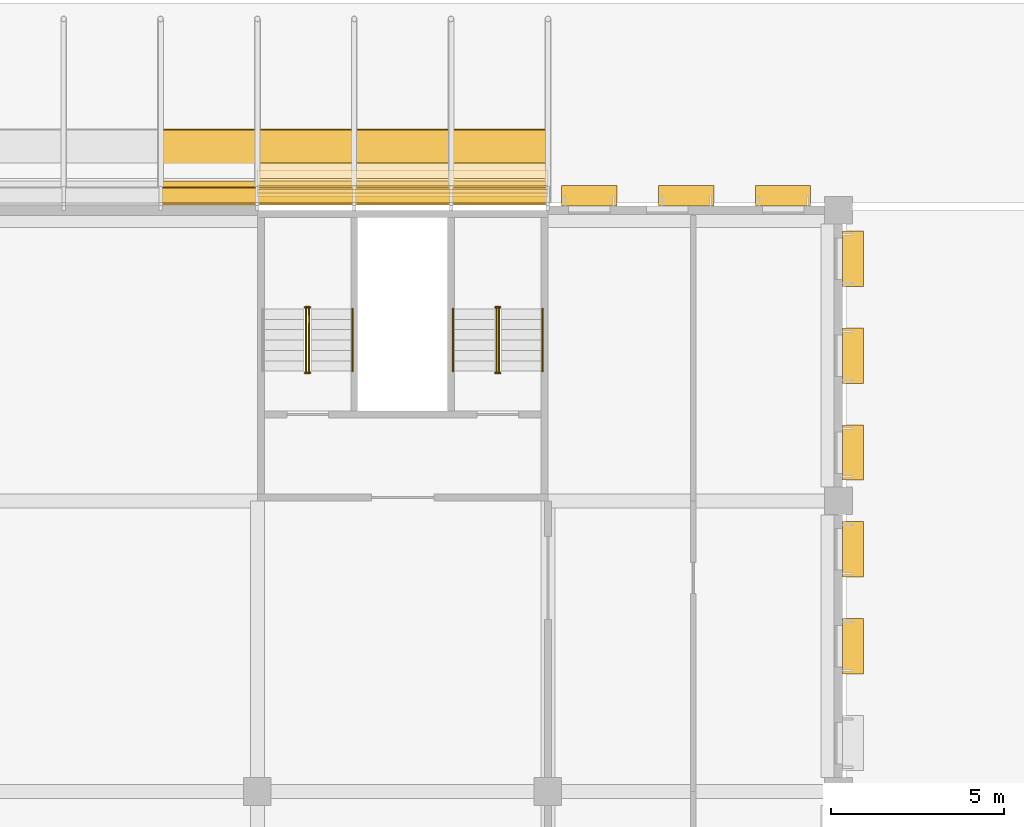
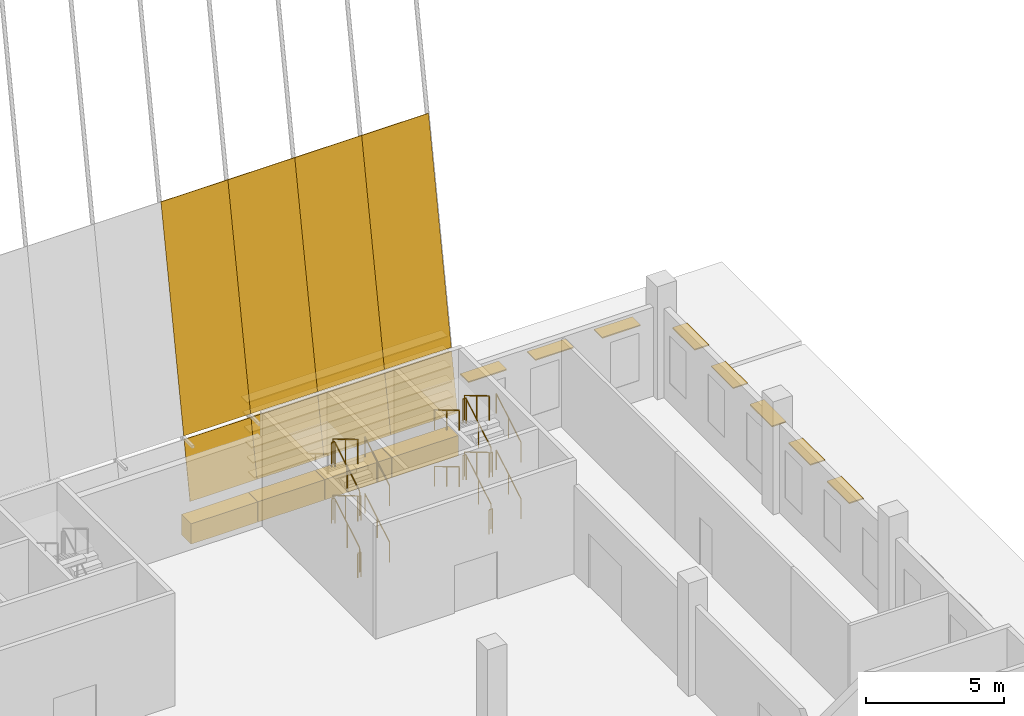
# One storey, part 100 of 101: 22 railings, 18 coverings, 8 shading devices.
"""IFC4 building model written with IfcOpenShell, lengths in metres."""

from ifc_helpers import new_model, si_unit, direction, frame, origin, origin_2d, place, context, subcontext, project, spatial, polyline, rectangle, circle, outline, extrude, material, layer, layer_set, material_profile, profile_set, type_object, element, save


model = new_model("IFC4")

# Units and contexts
model_context = context("Model", 3, precision=1e-05, world=origin(), true_north=direction((0.0, 1.0)))
body_context = subcontext(model_context, "Body", "Model", "MODEL_VIEW")
ifc_project = project(units=[si_unit("LENGTHUNIT", "METRE"), si_unit("AREAUNIT", "SQUARE_METRE"), si_unit("VOLUMEUNIT", "CUBIC_METRE"), si_unit("PLANEANGLEUNIT", "RADIAN"), si_unit("MASSUNIT", "GRAM", prefix="KILO")], contexts=[model_context])

# Site, building, storey
site_placement = place(None, origin())
site = spatial("IfcSite", under=ifc_project, at=site_placement, CompositionType="ELEMENT")
building_placement = place(site_placement, origin())
building = spatial("IfcBuilding", under=site, at=building_placement, Name="Almond Square Museum", CompositionType="ELEMENT")
storey_placement = place(building_placement, frame((0.0, 0.0, 5.5)))
storey = spatial("IfcBuildingStorey", under=building, at=storey_placement, Name="L01", CompositionType="ELEMENT", Elevation=5.5)

# Coverings
ifc_material_1 = material(Name="Cedar timber louvre board", Category="wood")
ifc_material_profile_1 = material_profile(ifc_material_1, rectangle(XDim=0.449951171875, YDim=0.050048828125, at=origin_2d()))
ifc_profile_set_1 = profile_set([ifc_material_profile_1], Name="Cedar timber louvre board")
covering_type_1 = type_object("IfcCoveringType", Name="Louvre board 450 x 50", PredefinedType="CLADDING", material=ifc_profile_set_1)
for number, where, z_axis, x_axis, name in (
    (1, (140.39990234375, 109.82373046875, 1.800048828125), (1.0, 0.0, 0.0), (0.0, 1.0, 0.0), "Louvre board N01.05"),
    (2, (140.39990234375, 109.9296875, 2.39990234375), (1.0, 0.0, 0.0), (0.0, 1.0, 0.0), "Louvre board N02.05"),
    (3, (140.39990234375, 110.035400390625, 3.0), (1.0, 0.0, 0.0), (0.0, 1.0, 0.0), "Louvre board N03.05"),
    (4, (140.39990234375, 110.14111328125, 3.60009765625), (1.0, 0.0, 0.0), (0.0, 1.0, 0.0), "Louvre board N04.05"),
    (5, (140.39990234375, 110.2470703125, 4.199951171875), (1.0, 0.0, 0.0), (0.0, 1.0, 0.0), "Louvre board N05.05"),
    (6, (140.39990234375, 110.352783203125, 4.800048828125), (1.0, 0.0, 0.0), (0.0, 1.0, 0.0), "Louvre board N06.05"),
):
    element("IfcCovering", number, at=place(storey_placement, frame(where, z_axis=z_axis, x_axis=x_axis)), inside=storey, type_object=covering_type_1, Name=name, PredefinedType="CLADDING", context=body_context, shape_type="SweptSolid", body=[
        extrude(rectangle(XDim=0.449951171875, YDim=0.050048828125, at=origin_2d()), origin(), (0.0, 0.0, 1.0), 8.400146484375),
    ])
ifc_material_2 = material(Name="Cedar timber sheathing panel", Category="wood")
ifc_layer_1 = layer(ifc_material_2, 0.030029296875)
ifc_layer_set_1 = layer_set([ifc_layer_1], Name="Cedar timber sheathing panel")
covering_type_2 = type_object("IfcCoveringType", Name="Louvre rain-screen backing panel 30", PredefinedType="CLADDING", material=ifc_layer_set_1)
covering_1_placement = place(storey_placement, frame((137.60009765625, 109.42724609375, 1.8486328125), z_axis=(0.0, -0.984810858511, 0.173630564586), x_axis=(1.0, 0.0, 0.0)))
element("IfcCovering", 7, at=covering_1_placement, inside=storey, type_object=covering_type_2, Name="Louvre rain-screen backing panel N12.03", PredefinedType="CLADDING", context=body_context, shape_type="SweptSolid", body=[
    extrude(outline(polyline([(0.0, 0.0), (2.7998046875, 0.0), (2.7998046875, 2.519717660558068), (0.0, 2.519717660558068), (0.0, 0.0)])), frame((0.0, 0.0, -0.01513671875)), (0.0, 0.0, 1.0), 0.030029296875),
])
covering_2_placement = place(storey_placement, frame((137.60009765625, 109.889404296875, 4.469970703125), z_axis=(0.0, -0.98480863204, 0.173643192378), x_axis=(1.0, 0.0, 0.0)))
element("IfcCovering", 8, at=covering_2_placement, inside=storey, type_object=covering_type_2, Name="Louvre rain-screen backing panel N12.04", PredefinedType="CLADDING", context=body_context, shape_type="SweptSolid", body=[
    extrude(outline(polyline([(0.0, 0.0), (2.7998046875, 0.0), (2.7998046875, 9.504493682681227), (0.0, 9.504493682681227), (0.0, 0.0)])), frame((0.0, 0.0, -0.01513671875)), (0.0, 0.0, 1.0), 0.030029296875),
])
covering_3_placement = place(storey_placement, frame((140.39990234375, 109.42724609375, 1.8486328125), z_axis=(0.0, -0.984810858511, 0.173630564586), x_axis=(1.0, 0.0, 0.0)))
element("IfcCovering", 9, at=covering_3_placement, inside=storey, type_object=covering_type_2, Name="Louvre rain-screen backing panel N13.03", PredefinedType="CLADDING", context=body_context, shape_type="SweptSolid", body=[
    extrude(outline(polyline([(0.0, 0.0), (2.800048828125, 0.0), (2.800048828125, 2.519717660558068), (0.0, 2.519717660558068), (0.0, 0.0)])), frame((0.0, 0.0, -0.01513671875)), (0.0, 0.0, 1.0), 0.030029296875),
])
covering_4_placement = place(storey_placement, frame((140.39990234375, 109.889404296875, 4.469970703125), z_axis=(0.0, -0.98480863204, 0.173643192378), x_axis=(1.0, 0.0, 0.0)))
element("IfcCovering", 10, at=covering_4_placement, inside=storey, type_object=covering_type_2, Name="Louvre rain-screen backing panel N13.04", PredefinedType="CLADDING", context=body_context, shape_type="SweptSolid", body=[
    extrude(outline(polyline([(0.0, 0.0), (2.800048828125, 0.0), (2.800048828125, 9.504493682681225), (0.0, 9.504493682681225), (0.0, 0.0)])), frame((0.0, 0.0, -0.01513671875)), (0.0, 0.0, 1.0), 0.030029296875),
])
covering_5_placement = place(storey_placement, frame((143.199951171875, 109.42724609375, 1.8486328125), z_axis=(0.0, -0.984810858511, 0.173630564586), x_axis=(1.0, 0.0, 0.0)))
element("IfcCovering", 11, at=covering_5_placement, inside=storey, type_object=covering_type_2, Name="Louvre rain-screen backing panel N14.03", PredefinedType="CLADDING", context=body_context, shape_type="SweptSolid", body=[
    extrude(outline(polyline([(0.0, 0.0), (2.800048828125, 0.0), (2.800048828125, 2.519717660558068), (0.0, 2.519717660558068), (0.0, 0.0)])), frame((0.0, 0.0, -0.01513671875)), (0.0, 0.0, 1.0), 0.030029296875),
])
covering_6_placement = place(storey_placement, frame((143.199951171875, 109.889404296875, 4.469970703125), z_axis=(0.0, -0.98480863204, 0.173643192378), x_axis=(1.0, 0.0, 0.0)))
element("IfcCovering", 12, at=covering_6_placement, inside=storey, type_object=covering_type_2, Name="Louvre rain-screen backing panel N14.04", PredefinedType="CLADDING", context=body_context, shape_type="SweptSolid", body=[
    extrude(outline(polyline([(0.0, 0.0), (2.800048828125, 0.0), (2.800048828125, 9.504493682681225), (0.0, 9.504493682681225), (0.0, 0.0)])), frame((0.0, 0.0, -0.01513671875)), (0.0, 0.0, 1.0), 0.030029296875),
])
covering_7_placement = place(storey_placement, frame((146.0, 109.42724609375, 1.8486328125), z_axis=(0.0, -0.984810858511, 0.173630564586), x_axis=(1.0, 0.0, 0.0)))
element("IfcCovering", 13, at=covering_7_placement, inside=storey, type_object=covering_type_2, Name="Louvre rain-screen backing panel N15.03", PredefinedType="CLADDING", context=body_context, shape_type="SweptSolid", body=[
    extrude(outline(polyline([(0.0, 0.0), (2.800048828125, 0.0), (2.800048828125, 2.519717660558068), (0.0, 2.519717660558068), (0.0, 0.0)])), frame((0.0, 0.0, -0.01513671875)), (0.0, 0.0, 1.0), 0.030029296875),
])
covering_8_placement = place(storey_placement, frame((146.0, 109.889404296875, 4.469970703125), z_axis=(0.0, -0.98480863204, 0.173643192378), x_axis=(1.0, 0.0, 0.0)))
element("IfcCovering", 14, at=covering_8_placement, inside=storey, type_object=covering_type_2, Name="Louvre rain-screen backing panel N15.04", PredefinedType="CLADDING", context=body_context, shape_type="SweptSolid", body=[
    extrude(outline(polyline([(0.0, 0.0), (2.800048828125, 0.0), (2.800048828125, 9.504493682681225), (0.0, 9.504493682681225), (0.0, 0.0)])), frame((0.0, 0.0, -0.01513671875)), (0.0, 0.0, 1.0), 0.030029296875),
])
ifc_material_3 = material(Name="Timber plinth, cedar", Category="wood")
ifc_layer_2 = layer(ifc_material_3, 0.699951171875)
ifc_layer_set_2 = layer_set([ifc_layer_2], Name="Timber plinth, cedar")
covering_type_3 = type_object("IfcCoveringType", Name="Louvre skin plinth, timber 700 x 900", PredefinedType="CLADDING", material=ifc_layer_set_2)
for number, where, z_axis, x_axis, name in (
    (15, (139.0, 109.699951171875, 0.0), (0.0, 0.0, 1.0), (1.0, 0.0, 0.0), "Louvre skin plinth N12"),
    (16, (141.800048828125, 109.699951171875, 0.0), (0.0, 0.0, 1.0), (1.0, 0.0, 0.0), "Louvre skin plinth N13"),
    (17, (144.60009765625, 109.699951171875, 0.0), (0.0, 0.0, 1.0), (1.0, 0.0, 0.0), "Louvre skin plinth N14"),
    (18, (147.39990234375, 109.699951171875, 0.0), (0.0, 0.0, 1.0), (1.0, 0.0, 0.0), "Louvre skin plinth N15"),
):
    element("IfcCovering", number, at=place(storey_placement, frame(where, z_axis=z_axis, x_axis=x_axis)), inside=storey, type_object=covering_type_3, Name=name, PredefinedType="CLADDING", context=body_context, shape_type="SweptSolid", body=[
        extrude(rectangle(XDim=2.780029296875, YDim=0.699951171875, at=origin_2d()), origin(), (0.0, 0.0, 1.0), 0.89990234375),
    ])

# Railings
ifc_material_4 = material(Name="Stainless steel and laminated glass", Category="steel")
railing_type_1 = type_object("IfcRailingType", Name="Stair guard 1100 steel and glass", PredefinedType="GUARDRAIL", material=ifc_material_4)
railing_1_placement = place(storey_placement, frame((141.889892578125, 104.550048828125, 0.178466796875)))
element("IfcRailing", 19, at=railing_1_placement, inside=storey, type_object=railing_type_1, Name="L01 ST-05 stair guard 1", PredefinedType="GUARDRAIL", context=body_context, shape_type="SweptSolid", body=[
    extrude(circle(Radius=0.02392578125, at=origin_2d()), frame((0.0, 0.0, 1.076171875), z_axis=(0.0, 0.859277029364, 0.511510495305), x_axis=(-1.0, 0.0, 0.0)), (0.0, 0.0, 1.0), 2.0947265625),
    extrude(circle(Radius=0.02099609375, at=origin_2d()), origin(), (0.0, 0.0, 1.0), 1.052001953125),
    extrude(circle(Radius=0.02099609375, at=origin_2d()), frame((0.0, 0.89990234375, 0.53564453125)), (0.0, 0.0, 1.0), 1.052001953125),
    extrude(circle(Radius=0.02099609375, at=origin_2d()), frame((0.0, 1.800048828125, 1.071533203125)), (0.0, 0.0, 1.0), 1.052001953125),
])
railing_2_placement = place(storey_placement, frame((141.919921875, 106.39990234375, 1.25)))
element("IfcRailing", 20, at=railing_2_placement, inside=storey, type_object=railing_type_1, Name="L01 ST-05 stair guard 2", PredefinedType="GUARDRAIL", context=body_context, shape_type="SweptSolid", body=[
    extrude(circle(Radius=0.02392578125, at=origin_2d()), frame((0.0, 0.0, 1.076171875), z_axis=(-1.0, 0.0, 0.0), x_axis=(0.0, -1.0, 0.0)), (0.0, 0.0, 1.0), 0.139892578125),
    extrude(circle(Radius=0.02099609375, at=origin_2d()), origin(), (0.0, 0.0, 1.0), 1.052001953125),
    extrude(circle(Radius=0.02099609375, at=origin_2d()), frame((-0.139892578125, 0.0, 0.0)), (0.0, 0.0, 1.0), 1.052001953125),
])
railing_3_placement = place(storey_placement, frame((141.81005859375, 106.35009765625, 1.428466796875)))
element("IfcRailing", 21, at=railing_3_placement, inside=storey, type_object=railing_type_1, Name="L01 ST-05 stair guard 3", PredefinedType="GUARDRAIL", context=body_context, shape_type="SweptSolid", body=[
    extrude(circle(Radius=0.02392578125, at=origin_2d()), frame((0.0, 0.0, 1.076171875), z_axis=(0.0, -0.859277029364, 0.511510495305), x_axis=(1.0, 0.0, 0.0)), (0.0, 0.0, 1.0), 2.0947265625),
    extrude(circle(Radius=0.02099609375, at=origin_2d()), origin(), (0.0, 0.0, 1.0), 1.052001953125),
    extrude(circle(Radius=0.02099609375, at=origin_2d()), frame((0.0, -0.89990234375, 0.53564453125)), (0.0, 0.0, 1.0), 1.052001953125),
    extrude(circle(Radius=0.02099609375, at=origin_2d()), frame((0.0, -1.800048828125, 1.071533203125)), (0.0, 0.0, 1.0), 1.052001953125),
])
railing_4_placement = place(storey_placement, frame((141.919921875, 104.5, 2.5)))
element("IfcRailing", 22, at=railing_4_placement, inside=storey, type_object=railing_type_1, Name="L01 ST-05 stair guard 4", PredefinedType="GUARDRAIL", context=body_context, shape_type="SweptSolid", body=[
    extrude(circle(Radius=0.02392578125, at=origin_2d()), frame((0.0, 0.0, 1.076171875), z_axis=(-1.0, 0.0, 0.0), x_axis=(0.0, -1.0, 0.0)), (0.0, 0.0, 1.0), 0.139892578125),
    extrude(circle(Radius=0.02099609375, at=origin_2d()), origin(), (0.0, 0.0, 1.0), 1.052001953125),
    extrude(circle(Radius=0.02099609375, at=origin_2d()), frame((-0.139892578125, 0.0, 0.0)), (0.0, 0.0, 1.0), 1.052001953125),
])
railing_5_placement = place(storey_placement, frame((141.889892578125, 104.550048828125, 2.678466796875)))
element("IfcRailing", 23, at=railing_5_placement, inside=storey, type_object=railing_type_1, Name="L01 ST-05 stair guard 5", PredefinedType="GUARDRAIL", context=body_context, shape_type="SweptSolid", body=[
    extrude(circle(Radius=0.02392578125, at=origin_2d()), frame((0.0, 0.0, 1.076171875), z_axis=(0.0, 0.859277029364, 0.511510495305), x_axis=(-1.0, 0.0, 0.0)), (0.0, 0.0, 1.0), 2.0947265625),
    extrude(circle(Radius=0.02099609375, at=origin_2d()), origin(), (0.0, 0.0, 1.0), 1.052001953125),
    extrude(circle(Radius=0.02099609375, at=origin_2d()), frame((0.0, 0.89990234375, 0.53564453125)), (0.0, 0.0, 1.0), 1.052001953125),
    extrude(circle(Radius=0.02099609375, at=origin_2d()), frame((0.0, 1.800048828125, 1.071533203125)), (0.0, 0.0, 1.0), 1.052001953125),
])
railing_6_placement = place(storey_placement, frame((141.919921875, 106.39990234375, 3.75)))
element("IfcRailing", 24, at=railing_6_placement, inside=storey, type_object=railing_type_1, Name="L01 ST-05 stair guard 6", PredefinedType="GUARDRAIL", context=body_context, shape_type="SweptSolid", body=[
    extrude(circle(Radius=0.02392578125, at=origin_2d()), frame((0.0, 0.0, 1.076171875), z_axis=(-1.0, 0.0, 0.0), x_axis=(0.0, -1.0, 0.0)), (0.0, 0.0, 1.0), 0.139892578125),
    extrude(circle(Radius=0.02099609375, at=origin_2d()), origin(), (0.0, 0.0, 1.0), 1.052001953125),
    extrude(circle(Radius=0.02099609375, at=origin_2d()), frame((-0.139892578125, 0.0, 0.0)), (0.0, 0.0, 1.0), 1.052001953125),
])
railing_7_placement = place(storey_placement, frame((141.81005859375, 106.35009765625, 3.928466796875)))
element("IfcRailing", 25, at=railing_7_placement, inside=storey, type_object=railing_type_1, Name="L01 ST-05 stair guard 7", PredefinedType="GUARDRAIL", context=body_context, shape_type="SweptSolid", body=[
    extrude(circle(Radius=0.02392578125, at=origin_2d()), frame((0.0, 0.0, 1.076171875), z_axis=(0.0, -0.859277029364, 0.511510495305), x_axis=(1.0, 0.0, 0.0)), (0.0, 0.0, 1.0), 2.0947265625),
    extrude(circle(Radius=0.02099609375, at=origin_2d()), origin(), (0.0, 0.0, 1.0), 1.052001953125),
    extrude(circle(Radius=0.02099609375, at=origin_2d()), frame((0.0, -0.89990234375, 0.53564453125)), (0.0, 0.0, 1.0), 1.052001953125),
    extrude(circle(Radius=0.02099609375, at=origin_2d()), frame((0.0, -1.800048828125, 1.071533203125)), (0.0, 0.0, 1.0), 1.052001953125),
])
railing_8_placement = place(storey_placement, frame((141.919921875, 104.5, 0.0)))
element("IfcRailing", 26, at=railing_8_placement, inside=storey, type_object=railing_type_1, Name="L01 ST-05 stair guard 8", PredefinedType="GUARDRAIL", context=body_context, shape_type="SweptSolid", body=[
    extrude(circle(Radius=0.02392578125, at=origin_2d()), frame((0.0, 0.0, 1.076171875), z_axis=(-1.0, 0.0, 0.0), x_axis=(0.0, -1.0, 0.0)), (0.0, 0.0, 1.0), 0.139892578125),
    extrude(circle(Radius=0.02099609375, at=origin_2d()), origin(), (0.0, 0.0, 1.0), 1.052001953125),
    extrude(circle(Radius=0.02099609375, at=origin_2d()), frame((-0.139892578125, 0.0, 0.0)), (0.0, 0.0, 1.0), 1.052001953125),
])
railing_9_placement = place(storey_placement, frame((147.389892578125, 104.550048828125, 0.178466796875)))
element("IfcRailing", 27, at=railing_9_placement, inside=storey, type_object=railing_type_1, Name="L01 ST-06 stair guard 1", PredefinedType="GUARDRAIL", context=body_context, shape_type="SweptSolid", body=[
    extrude(circle(Radius=0.02392578125, at=origin_2d()), frame((0.0, 0.0, 1.076171875), z_axis=(0.0, 0.859277029364, 0.511510495305), x_axis=(-1.0, 0.0, 0.0)), (0.0, 0.0, 1.0), 2.0947265625),
    extrude(circle(Radius=0.02099609375, at=origin_2d()), origin(), (0.0, 0.0, 1.0), 1.052001953125),
    extrude(circle(Radius=0.02099609375, at=origin_2d()), frame((0.0, 0.89990234375, 0.53564453125)), (0.0, 0.0, 1.0), 1.052001953125),
    extrude(circle(Radius=0.02099609375, at=origin_2d()), frame((0.0, 1.800048828125, 1.071533203125)), (0.0, 0.0, 1.0), 1.052001953125),
])
railing_10_placement = place(storey_placement, frame((147.419921875, 106.39990234375, 1.25)))
element("IfcRailing", 28, at=railing_10_placement, inside=storey, type_object=railing_type_1, Name="L01 ST-06 stair guard 2", PredefinedType="GUARDRAIL", context=body_context, shape_type="SweptSolid", body=[
    extrude(circle(Radius=0.02392578125, at=origin_2d()), frame((0.0, 0.0, 1.076171875), z_axis=(-1.0, 0.0, 0.0), x_axis=(0.0, -1.0, 0.0)), (0.0, 0.0, 1.0), 0.139892578125),
    extrude(circle(Radius=0.02099609375, at=origin_2d()), origin(), (0.0, 0.0, 1.0), 1.052001953125),
    extrude(circle(Radius=0.02099609375, at=origin_2d()), frame((-0.139892578125, 0.0, 0.0)), (0.0, 0.0, 1.0), 1.052001953125),
])
railing_11_placement = place(storey_placement, frame((147.31005859375, 106.35009765625, 1.428466796875)))
element("IfcRailing", 29, at=railing_11_placement, inside=storey, type_object=railing_type_1, Name="L01 ST-06 stair guard 3", PredefinedType="GUARDRAIL", context=body_context, shape_type="SweptSolid", body=[
    extrude(circle(Radius=0.02392578125, at=origin_2d()), frame((0.0, 0.0, 1.076171875), z_axis=(0.0, -0.859277029364, 0.511510495305), x_axis=(1.0, 0.0, 0.0)), (0.0, 0.0, 1.0), 2.0947265625),
    extrude(circle(Radius=0.02099609375, at=origin_2d()), origin(), (0.0, 0.0, 1.0), 1.052001953125),
    extrude(circle(Radius=0.02099609375, at=origin_2d()), frame((0.0, -0.89990234375, 0.53564453125)), (0.0, 0.0, 1.0), 1.052001953125),
    extrude(circle(Radius=0.02099609375, at=origin_2d()), frame((0.0, -1.800048828125, 1.071533203125)), (0.0, 0.0, 1.0), 1.052001953125),
])
railing_12_placement = place(storey_placement, frame((147.419921875, 104.5, 2.5)))
element("IfcRailing", 30, at=railing_12_placement, inside=storey, type_object=railing_type_1, Name="L01 ST-06 stair guard 4", PredefinedType="GUARDRAIL", context=body_context, shape_type="SweptSolid", body=[
    extrude(circle(Radius=0.02392578125, at=origin_2d()), frame((0.0, 0.0, 1.076171875), z_axis=(-1.0, 0.0, 0.0), x_axis=(0.0, -1.0, 0.0)), (0.0, 0.0, 1.0), 0.139892578125),
    extrude(circle(Radius=0.02099609375, at=origin_2d()), origin(), (0.0, 0.0, 1.0), 1.052001953125),
    extrude(circle(Radius=0.02099609375, at=origin_2d()), frame((-0.139892578125, 0.0, 0.0)), (0.0, 0.0, 1.0), 1.052001953125),
])
railing_13_placement = place(storey_placement, frame((147.389892578125, 104.550048828125, 2.678466796875)))
element("IfcRailing", 31, at=railing_13_placement, inside=storey, type_object=railing_type_1, Name="L01 ST-06 stair guard 5", PredefinedType="GUARDRAIL", context=body_context, shape_type="SweptSolid", body=[
    extrude(circle(Radius=0.02392578125, at=origin_2d()), frame((0.0, 0.0, 1.076171875), z_axis=(0.0, 0.859277029364, 0.511510495305), x_axis=(-1.0, 0.0, 0.0)), (0.0, 0.0, 1.0), 2.0947265625),
    extrude(circle(Radius=0.02099609375, at=origin_2d()), origin(), (0.0, 0.0, 1.0), 1.052001953125),
    extrude(circle(Radius=0.02099609375, at=origin_2d()), frame((0.0, 0.89990234375, 0.53564453125)), (0.0, 0.0, 1.0), 1.052001953125),
    extrude(circle(Radius=0.02099609375, at=origin_2d()), frame((0.0, 1.800048828125, 1.071533203125)), (0.0, 0.0, 1.0), 1.052001953125),
])
railing_14_placement = place(storey_placement, frame((147.419921875, 106.39990234375, 3.75)))
element("IfcRailing", 32, at=railing_14_placement, inside=storey, type_object=railing_type_1, Name="L01 ST-06 stair guard 6", PredefinedType="GUARDRAIL", context=body_context, shape_type="SweptSolid", body=[
    extrude(circle(Radius=0.02392578125, at=origin_2d()), frame((0.0, 0.0, 1.076171875), z_axis=(-1.0, 0.0, 0.0), x_axis=(0.0, -1.0, 0.0)), (0.0, 0.0, 1.0), 0.139892578125),
    extrude(circle(Radius=0.02099609375, at=origin_2d()), origin(), (0.0, 0.0, 1.0), 1.052001953125),
    extrude(circle(Radius=0.02099609375, at=origin_2d()), frame((-0.139892578125, 0.0, 0.0)), (0.0, 0.0, 1.0), 1.052001953125),
])
railing_15_placement = place(storey_placement, frame((147.31005859375, 106.35009765625, 3.928466796875)))
element("IfcRailing", 33, at=railing_15_placement, inside=storey, type_object=railing_type_1, Name="L01 ST-06 stair guard 7", PredefinedType="GUARDRAIL", context=body_context, shape_type="SweptSolid", body=[
    extrude(circle(Radius=0.02392578125, at=origin_2d()), frame((0.0, 0.0, 1.076171875), z_axis=(0.0, -0.859277029364, 0.511510495305), x_axis=(1.0, 0.0, 0.0)), (0.0, 0.0, 1.0), 2.0947265625),
    extrude(circle(Radius=0.02099609375, at=origin_2d()), origin(), (0.0, 0.0, 1.0), 1.052001953125),
    extrude(circle(Radius=0.02099609375, at=origin_2d()), frame((0.0, -0.89990234375, 0.53564453125)), (0.0, 0.0, 1.0), 1.052001953125),
    extrude(circle(Radius=0.02099609375, at=origin_2d()), frame((0.0, -1.800048828125, 1.071533203125)), (0.0, 0.0, 1.0), 1.052001953125),
])
railing_16_placement = place(storey_placement, frame((147.419921875, 104.5, 0.0)))
element("IfcRailing", 34, at=railing_16_placement, inside=storey, type_object=railing_type_1, Name="L01 ST-06 stair guard 8", PredefinedType="GUARDRAIL", context=body_context, shape_type="SweptSolid", body=[
    extrude(circle(Radius=0.02392578125, at=origin_2d()), frame((0.0, 0.0, 1.076171875), z_axis=(-1.0, 0.0, 0.0), x_axis=(0.0, -1.0, 0.0)), (0.0, 0.0, 1.0), 0.139892578125),
    extrude(circle(Radius=0.02099609375, at=origin_2d()), origin(), (0.0, 0.0, 1.0), 1.052001953125),
    extrude(circle(Radius=0.02099609375, at=origin_2d()), frame((-0.139892578125, 0.0, 0.0)), (0.0, 0.0, 1.0), 1.052001953125),
])
ifc_material_5 = material(Name="Stainless steel", Category="steel")
railing_type_2 = type_object("IfcRailingType", Name="Stair handrail 900 steel", PredefinedType="HANDRAIL", material=ifc_material_5)
for number, where, name in (
    (35, (143.14501953125, 104.550048828125, 0.178466796875), "L01 ST-05 stair handrail 1"),
    (36, (143.14501953125, 104.550048828125, 2.678466796875), "L01 ST-05 stair handrail 3"),
    (37, (148.64501953125, 104.550048828125, 0.178466796875), "L01 ST-06 stair handrail 1"),
):
    element("IfcRailing", number, at=place(storey_placement, frame(where)), inside=storey, type_object=railing_type_2, Name=name, PredefinedType="HANDRAIL", context=body_context, shape_type="SweptSolid", body=[
        extrude(circle(Radius=0.02392578125, at=origin_2d()), frame((0.0, 0.0, 0.8759765625), z_axis=(0.0, 0.859277029364, 0.511510495305), x_axis=(-1.0, 0.0, 0.0)), (0.0, 0.0, 1.0), 2.0947265625),
        extrude(circle(Radius=0.02099609375, at=origin_2d()), origin(), (0.0, 0.0, 1.0), 0.851806640625),
        extrude(circle(Radius=0.02099609375, at=origin_2d()), frame((0.0, 0.89990234375, 0.53564453125)), (0.0, 0.0, 1.0), 0.851806640625),
        extrude(circle(Radius=0.02099609375, at=origin_2d()), frame((0.0, 1.800048828125, 1.071533203125)), (0.0, 0.0, 1.0), 0.851806640625),
    ])
railing_17_placement = place(storey_placement, frame((146.054931640625, 106.35009765625, 1.428466796875)))
element("IfcRailing", 38, at=railing_17_placement, inside=storey, type_object=railing_type_2, Name="L01 ST-06 stair handrail 2", PredefinedType="HANDRAIL", context=body_context, shape_type="SweptSolid", body=[
    extrude(circle(Radius=0.02392578125, at=origin_2d()), frame((0.0, 0.0, 0.8759765625), z_axis=(0.0, -0.859277029364, 0.511510495305), x_axis=(1.0, 0.0, 0.0)), (0.0, 0.0, 1.0), 2.0947265625),
    extrude(circle(Radius=0.02099609375, at=origin_2d()), origin(), (0.0, 0.0, 1.0), 0.851806640625),
    extrude(circle(Radius=0.02099609375, at=origin_2d()), frame((0.0, -0.89990234375, 0.53564453125)), (0.0, 0.0, 1.0), 0.851806640625),
    extrude(circle(Radius=0.02099609375, at=origin_2d()), frame((0.0, -1.800048828125, 1.071533203125)), (0.0, 0.0, 1.0), 0.851806640625),
])
railing_18_placement = place(storey_placement, frame((148.64501953125, 104.550048828125, 2.678466796875)))
element("IfcRailing", 39, at=railing_18_placement, inside=storey, type_object=railing_type_2, Name="L01 ST-06 stair handrail 3", PredefinedType="HANDRAIL", context=body_context, shape_type="SweptSolid", body=[
    extrude(circle(Radius=0.02392578125, at=origin_2d()), frame((0.0, 0.0, 0.8759765625), z_axis=(0.0, 0.859277029364, 0.511510495305), x_axis=(-1.0, 0.0, 0.0)), (0.0, 0.0, 1.0), 2.0947265625),
    extrude(circle(Radius=0.02099609375, at=origin_2d()), origin(), (0.0, 0.0, 1.0), 0.851806640625),
    extrude(circle(Radius=0.02099609375, at=origin_2d()), frame((0.0, 0.89990234375, 0.53564453125)), (0.0, 0.0, 1.0), 0.851806640625),
    extrude(circle(Radius=0.02099609375, at=origin_2d()), frame((0.0, 1.800048828125, 1.071533203125)), (0.0, 0.0, 1.0), 0.851806640625),
])
railing_19_placement = place(storey_placement, frame((146.054931640625, 106.35009765625, 3.928466796875)))
element("IfcRailing", 40, at=railing_19_placement, inside=storey, type_object=railing_type_2, Name="L01 ST-06 stair handrail 4", PredefinedType="HANDRAIL", context=body_context, shape_type="SweptSolid", body=[
    extrude(circle(Radius=0.02392578125, at=origin_2d()), frame((0.0, 0.0, 0.8759765625), z_axis=(0.0, -0.859277029364, 0.511510495305), x_axis=(1.0, 0.0, 0.0)), (0.0, 0.0, 1.0), 2.0947265625),
    extrude(circle(Radius=0.02099609375, at=origin_2d()), origin(), (0.0, 0.0, 1.0), 0.851806640625),
    extrude(circle(Radius=0.02099609375, at=origin_2d()), frame((0.0, -0.89990234375, 0.53564453125)), (0.0, 0.0, 1.0), 0.851806640625),
    extrude(circle(Radius=0.02099609375, at=origin_2d()), frame((0.0, -1.800048828125, 1.071533203125)), (0.0, 0.0, 1.0), 0.851806640625),
])

# Shading devices
ifc_material_6 = material(Name="Anodised aluminium", Category="aluminium")
ifc_material_profile_2 = material_profile(ifc_material_6, rectangle(XDim=0.60009765625, YDim=0.050048828125, at=origin_2d()))
ifc_profile_set_2 = profile_set([ifc_material_profile_2], Name="Anodised aluminium")
shading_device_type = type_object("IfcShadingDeviceType", Name="Sun-shade blade 600 x 50", PredefinedType="USERDEFINED", material=ifc_profile_set_2)
for number, where, z_axis, x_axis, name in (
    (41, (157.623046875, 95.800048828125, 3.1201171875), (0.0, 1.0, 0.0), (-1.0, 0.0, 0.0), "Sun-shade blade"),
    (42, (157.623046875, 98.60009765625, 3.1201171875), (0.0, 1.0, 0.0), (-1.0, 0.0, 0.0), "Sun-shade blade"),
):
    element("IfcShadingDevice", number, at=place(storey_placement, frame(where, z_axis=z_axis, x_axis=x_axis)), inside=storey, type_object=shading_device_type, Name=name, ObjectType="LOUVRE", PredefinedType="USERDEFINED", context=body_context, shape_type="SweptSolid", body=[
        extrude(rectangle(XDim=0.60009765625, YDim=0.050048828125, at=origin_2d()), origin(), (0.0, 0.0, 1.0), 1.599853515625),
    ])
for number, where, z_axis, x_axis, name in (
    (43, (157.623046875, 101.39990234375, 3.1201171875), (0.0, 1.0, 0.0), (-1.0, 0.0, 0.0), "Sun-shade blade"),
    (44, (157.623046875, 104.199951171875, 3.1201171875), (0.0, 1.0, 0.0), (-1.0, 0.0, 0.0), "Sun-shade blade"),
    (45, (157.623046875, 107.0, 3.1201171875), (0.0, 1.0, 0.0), (-1.0, 0.0, 0.0), "Sun-shade blade"),
    (46, (149.199951171875, 109.623046875, 3.1201171875), (1.0, 0.0, 0.0), (0.0, 1.0, 0.0), "Sun-shade blade"),
    (47, (152.0, 109.623046875, 3.1201171875), (1.0, 0.0, 0.0), (0.0, 1.0, 0.0), "Sun-shade blade"),
):
    element("IfcShadingDevice", number, at=place(storey_placement, frame(where, z_axis=z_axis, x_axis=x_axis)), inside=storey, type_object=shading_device_type, Name=name, ObjectType="LOUVRE", PredefinedType="USERDEFINED", context=body_context, shape_type="SweptSolid", body=[
        extrude(rectangle(XDim=0.60009765625, YDim=0.050048828125, at=origin_2d()), origin(), (0.0, 0.0, 1.0), 1.60009765625),
    ])
shading_device_placement = place(storey_placement, frame((154.800048828125, 109.623046875, 3.1201171875), z_axis=(1.0, 0.0, 0.0), x_axis=(0.0, 1.0, 0.0)))
element("IfcShadingDevice", 48, at=shading_device_placement, inside=storey, type_object=shading_device_type, Name="Sun-shade blade", ObjectType="LOUVRE", PredefinedType="USERDEFINED", context=body_context, shape_type="SweptSolid", body=[
    extrude(rectangle(XDim=0.60009765625, YDim=0.050048828125, at=origin_2d()), origin(), (0.0, 0.0, 1.0), 1.599853515625),
])

save(model, "model.ifc")
